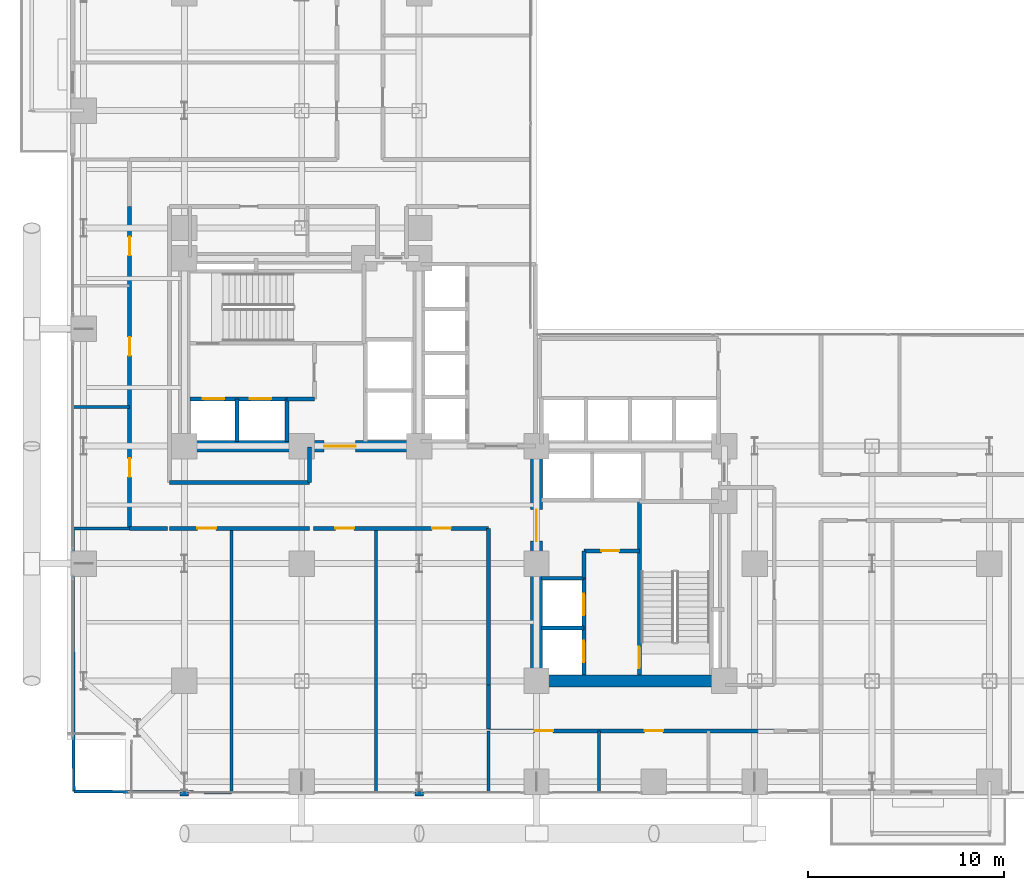
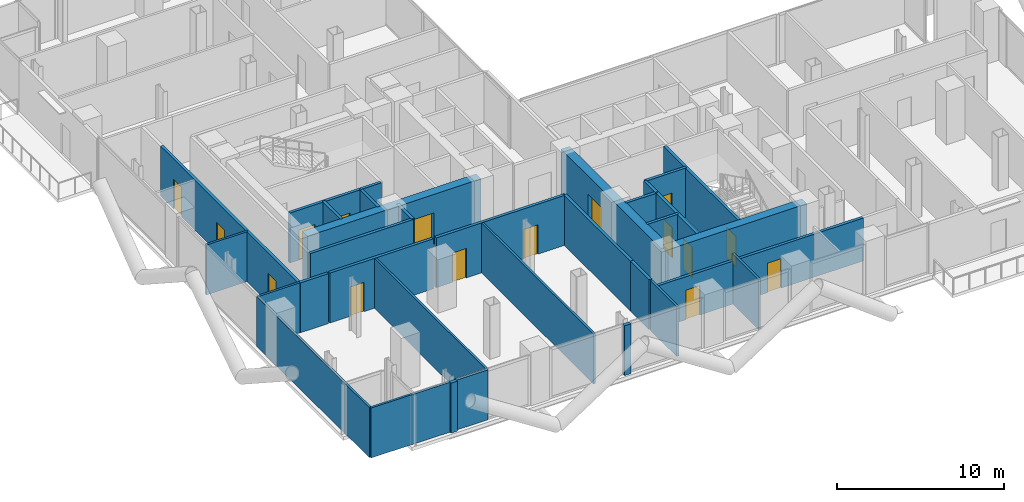
# One storey, part 21 of 27: 33 walls, 16 doors, 16 openings.
"""IFC4 building model written with IfcOpenShell, lengths in metres."""

from ifc_helpers import new_model, si_unit, direction, frame, frame_2d, origin, place, context, subcontext, project, spatial, rectangle, extrude, material, layer, layer_set, type_object, element, fill, save


model = new_model("IFC4")

# Units and contexts
model_context = context("Model", 3, precision=1e-05, world=origin(), true_north=direction((0.0, 1.0)))
body_context = subcontext(model_context, "Body", "Model", "MODEL_VIEW")
ifc_project = project(units=[si_unit("LENGTHUNIT", "METRE"), si_unit("AREAUNIT", "SQUARE_METRE"), si_unit("VOLUMEUNIT", "CUBIC_METRE"), si_unit("PLANEANGLEUNIT", "RADIAN"), si_unit("MASSUNIT", "GRAM", prefix="KILO"), si_unit("THERMODYNAMICTEMPERATUREUNIT", "KELVIN"), si_unit("POWERUNIT", "WATT")], contexts=[model_context])

# Site, building, storey
site_placement = place(None, origin())
site = spatial("IfcSite", under=ifc_project, at=site_placement, CompositionType="ELEMENT")
building_placement = place(site_placement, origin())
building = spatial("IfcBuilding", under=site, at=building_placement, Name="Svarakhadi Broadcast Tower", CompositionType="ELEMENT")
storey_placement = place(building_placement, frame((0.0, 0.0, 59.699951171875)))
storey = spatial("IfcBuildingStorey", under=building, at=storey_placement, Name="L13", CompositionType="ELEMENT", Elevation=59.699951171875)

# Walls
ifc_material_1 = material(Name="Concrete C40/50 (IS 456 M50)", Category="concrete")
ifc_layer_1 = layer(ifc_material_1, 0.239990234375)
ifc_layer_set_1 = layer_set([ifc_layer_1], Name="Concrete C40/50 (IS 456 M50)")
wall_type_1 = type_object("IfcWallType", Name="Wall_Ext_240", PredefinedType="SOLIDWALL", material=ifc_layer_set_1)
for number, where, z_axis, x_axis, name in (
    (1, (18.215087890625, 0.239990234375, 0.0), (0.0, 0.0, 1.0), (-1.0, 0.0, 0.0), "L13 Perimeter Bronze Spandrel Closure Wall 05"),
    (2, (6.215087890625, 0.239990234375, 0.0), (0.0, 0.0, 1.0), (-1.0, 0.0, 0.0), "L13 Perimeter Bronze Spandrel Closure Wall 06"),
):
    element("IfcWall", number, at=place(storey_placement, frame(where, z_axis=z_axis, x_axis=x_axis)), inside=storey, type_object=wall_type_1, Name=name, PredefinedType="SOLIDWALL", context=body_context, shape_type="SweptSolid", body=[
        extrude(rectangle(XDim=0.43017578125, YDim=0.239990234375, at=frame_2d((0.215087890625, 0.0))), origin(), (0.0, 0.0, 1.0), 3.650146484375),
    ])

# Wall, openings, doors
ifc_layer_2 = layer(ifc_material_1, 0.199951171875)
ifc_layer_set_2 = layer_set([ifc_layer_2], Name="Concrete C40/50 (IS 456 M50)")
wall_type_2 = type_object("IfcWallType", Name="Wall_Fire_200", PredefinedType="SOLIDWALL", material=ifc_layer_set_2)
wall_1_placement = place(storey_placement, frame((36.14990234375, 3.449951171875, 0.0), z_axis=(0.0, 0.0, 1.0), x_axis=(-1.0, 0.0, 0.0)))
wall_1 = element("IfcWall", 3, at=wall_1_placement, inside=storey, type_object=wall_type_2, Name="L13 Broadcast Corridor Wall", PredefinedType="SOLIDWALL", context=body_context, shape_type="SweptSolid", body=[
    extrude(rectangle(XDim=14.599853515625, YDim=0.199951171875, at=frame_2d((7.2998046875, 0.0))), origin(), (0.0, 0.0, 1.0), 3.14208984375),
])
opening_1_placement = place(wall_1_placement, frame((11.300048828125, 0.0, 0.0)))
opening_1 = element("IfcOpeningElement", 4, at=opening_1_placement, cuts=wall_1, Name="Opening D-06", PredefinedType="OPENING", context=body_context, shape_type="SweptSolid", body=[
    extrude(rectangle(XDim=0.949951171875, YDim=2.14990234375, at=frame_2d((0.47509765625, 1.074951171875))), frame((0.0, 0.10986328125, 0.0), z_axis=(0.0, -1.0, 0.0), x_axis=(1.0, 0.0, 0.0)), (0.0, 0.0, 1.0), 0.219970703125),
])
opening_2_placement = place(wall_1_placement, frame((5.675048828125, 0.0, 0.0)))
opening_2 = element("IfcOpeningElement", 5, at=opening_2_placement, cuts=wall_1, Name="Opening D-07", PredefinedType="OPENING", context=body_context, shape_type="SweptSolid", body=[
    extrude(rectangle(XDim=0.949951171875, YDim=2.14990234375, at=frame_2d((0.47509765625, 1.074951171875))), frame((0.0, 0.10986328125, 0.0), z_axis=(0.0, -1.0, 0.0), x_axis=(1.0, 0.0, 0.0)), (0.0, 0.0, 1.0), 0.219970703125),
])
ifc_material_2 = material(Name="Solid-Core Teak Veneer Acoustic Timber Leaf", Category="wood")
door_type_1 = type_object("IfcDoorType", Name="Door_Office_D06", OperationType="SINGLE_SWING_LEFT", PredefinedType="DOOR", material=ifc_material_2)
door_1_placement = place(opening_1_placement, origin())
door_1 = element("IfcDoor", 6, at=door_1_placement, inside=storey, type_object=door_type_1, Name="L13 South Harbour Editorial Desk Door", OperationType="SINGLE_SWING_LEFT", OverallHeight=2.14990234375, OverallWidth=0.949951171875, PredefinedType="DOOR", context=body_context, shape_type="SweptSolid", body=[
    extrude(rectangle(XDim=0.949951171875, YDim=2.14990234375, at=frame_2d((0.47509765625, 1.074951171875))), frame((0.0, 0.02490234375, 0.0), z_axis=(0.0, -1.0, 0.0), x_axis=(1.0, 0.0, 0.0)), (0.0, 0.0, 1.0), 0.050048828125),
])
fill(opening_1, door_1)
door_type_2 = type_object("IfcDoorType", Name="Door_Office_D07", OperationType="SINGLE_SWING_RIGHT", PredefinedType="DOOR", material=ifc_material_2)
door_2_placement = place(opening_2_placement, origin())
door_2 = element("IfcDoor", 7, at=door_2_placement, inside=storey, type_object=door_type_2, Name="L13 Media Legal Review Office Door", OperationType="SINGLE_SWING_RIGHT", OverallHeight=2.14990234375, OverallWidth=0.949951171875, PredefinedType="DOOR", context=body_context, shape_type="SweptSolid", body=[
    extrude(rectangle(XDim=0.949951171875, YDim=2.14990234375, at=frame_2d((0.47509765625, 1.074951171875))), frame((0.0, 0.02490234375, 0.0), z_axis=(0.0, -1.0, 0.0), x_axis=(1.0, 0.0, 0.0)), (0.0, 0.0, 1.0), 0.050048828125),
])
fill(opening_2, door_2)

# Walls
wall_2_placement = place(storey_placement, frame((21.550048828125, 3.550048828125, 0.0), z_axis=(0.0, 0.0, 1.0), x_axis=(0.0, 1.0, 0.0)))
element("IfcWall", 8, at=wall_2_placement, inside=storey, type_object=wall_type_2, Name="L13 Broadcast Corridor Wall", PredefinedType="SOLIDWALL", context=body_context, shape_type="SweptSolid", body=[
    extrude(rectangle(XDim=2.25, YDim=0.199951171875, at=frame_2d((1.125, 0.0))), origin(), (0.0, 0.0, 1.0), 3.650146484375),
])
wall_3_placement = place(storey_placement, frame((21.550048828125, 5.800048828125, 0.0), z_axis=(0.0, 0.0, 1.0), x_axis=(0.0, 1.0, 0.0)))
element("IfcWall", 9, at=wall_3_placement, inside=storey, type_object=wall_type_2, Name="L13 Broadcast Corridor Wall", PredefinedType="SOLIDWALL", context=body_context, shape_type="SweptSolid", body=[
    extrude(rectangle(XDim=8.0, YDim=0.199951171875, at=frame_2d((4.0, 0.0))), origin(), (0.0, 0.0, 1.0), 3.650146484375),
])

# Wall, openings, doors
wall_4_placement = place(storey_placement, frame((21.550048828125, 13.800048828125, 0.0), z_axis=(0.0, 0.0, 1.0), x_axis=(-1.0, 0.0, 0.0)))
wall_4 = element("IfcWall", 10, at=wall_4_placement, inside=storey, type_object=wall_type_2, Name="L13 Broadcast Corridor Wall", PredefinedType="SOLIDWALL", context=body_context, shape_type="SweptSolid", body=[
    extrude(rectangle(XDim=8.949951171875, YDim=0.199951171875, at=frame_2d((4.47509765625, 0.0))), origin(), (0.0, 0.0, 1.0), 3.650146484375),
])
opening_3_placement = place(wall_4_placement, frame((6.875, 0.0, 0.0)))
opening_3 = element("IfcOpeningElement", 11, at=opening_3_placement, cuts=wall_4, Name="Opening D-06", PredefinedType="OPENING", context=body_context, shape_type="SweptSolid", body=[
    extrude(rectangle(XDim=0.949951171875, YDim=2.14990234375, at=frame_2d((0.47509765625, 1.074951171875))), frame((0.0, 0.10986328125, 0.0), z_axis=(0.0, -1.0, 0.0), x_axis=(1.0, 0.0, 0.0)), (0.0, 0.0, 1.0), 0.219970703125),
])
opening_4_placement = place(wall_4_placement, frame((1.929931640625, 0.0, 0.0)))
opening_4 = element("IfcOpeningElement", 12, at=opening_4_placement, cuts=wall_4, Name="Opening D-07", PredefinedType="OPENING", context=body_context, shape_type="SweptSolid", body=[
    extrude(rectangle(XDim=0.949951171875, YDim=2.14990234375, at=frame_2d((0.47509765625, 1.074951171875))), frame((0.0, 0.10986328125, 0.0), z_axis=(0.0, -1.0, 0.0), x_axis=(1.0, 0.0, 0.0)), (0.0, 0.0, 1.0), 0.219970703125),
])
door_3_placement = place(opening_3_placement, origin())
door_3 = element("IfcDoor", 13, at=door_3_placement, inside=storey, type_object=door_type_1, Name="L13 Curriculum Development Office Door", OperationType="SINGLE_SWING_LEFT", OverallHeight=2.14990234375, OverallWidth=0.949951171875, PredefinedType="DOOR", context=body_context, shape_type="SweptSolid", body=[
    extrude(rectangle(XDim=0.949951171875, YDim=2.14990234375, at=frame_2d((0.47509765625, 1.074951171875))), frame((0.0, 0.02490234375, 0.0), z_axis=(0.0, -1.0, 0.0), x_axis=(1.0, 0.0, 0.0)), (0.0, 0.0, 1.0), 0.050048828125),
])
fill(opening_3, door_3)
door_4_placement = place(opening_4_placement, origin())
door_4 = element("IfcDoor", 14, at=door_4_placement, inside=storey, type_object=door_type_2, Name="L13 Faculty Coordinator Office Door", OperationType="SINGLE_SWING_RIGHT", OverallHeight=2.14990234375, OverallWidth=0.949951171875, PredefinedType="DOOR", context=body_context, shape_type="SweptSolid", body=[
    extrude(rectangle(XDim=0.949951171875, YDim=2.14990234375, at=frame_2d((0.47509765625, 1.074951171875))), frame((0.0, 0.02490234375, 0.0), z_axis=(0.0, -1.0, 0.0), x_axis=(1.0, 0.0, 0.0)), (0.0, 0.0, 1.0), 0.050048828125),
])
fill(opening_4, door_4)

# Wall, opening, door
wall_5_placement = place(storey_placement, frame((12.39990234375, 13.800048828125, 0.0), z_axis=(0.0, 0.0, 1.0), x_axis=(-1.0, 0.0, 0.0)))
wall_5 = element("IfcWall", 15, at=wall_5_placement, inside=storey, type_object=wall_type_2, Name="L13 Broadcast Corridor Wall", PredefinedType="SOLIDWALL", context=body_context, shape_type="SweptSolid", body=[
    extrude(rectangle(XDim=7.14990234375, YDim=0.199951171875, at=frame_2d((3.574951171875, 0.0))), origin(), (0.0, 0.0, 1.0), 3.650146484375),
])
opening_5_placement = place(wall_5_placement, frame((4.780029296875, 0.0, 0.0)))
opening_5 = element("IfcOpeningElement", 16, at=opening_5_placement, cuts=wall_5, Name="Opening D-06", PredefinedType="OPENING", context=body_context, shape_type="SweptSolid", body=[
    extrude(rectangle(XDim=0.949951171875, YDim=2.14990234375, at=frame_2d((0.47509765625, 1.074951171875))), frame((0.0, 0.10986328125, 0.0), z_axis=(0.0, -1.0, 0.0), x_axis=(1.0, 0.0, 0.0)), (0.0, 0.0, 1.0), 0.219970703125),
])
door_5_placement = place(opening_5_placement, origin())
door_5 = element("IfcDoor", 17, at=door_5_placement, inside=storey, type_object=door_type_1, Name="L13 Broadcast Academy Seminar Room A Door", OperationType="SINGLE_SWING_LEFT", OverallHeight=2.14990234375, OverallWidth=0.949951171875, PredefinedType="DOOR", context=body_context, shape_type="SweptSolid", body=[
    extrude(rectangle(XDim=0.949951171875, YDim=2.14990234375, at=frame_2d((0.47509765625, 1.074951171875))), frame((0.0, 0.02490234375, 0.0), z_axis=(0.0, -1.0, 0.0), x_axis=(1.0, 0.0, 0.0)), (0.0, 0.0, 1.0), 0.050048828125),
])
fill(opening_5, door_5)

# Wall
wall_6_placement = place(storey_placement, frame((5.14990234375, 13.800048828125, 0.0), z_axis=(0.0, 0.0, 1.0), x_axis=(-1.0, 0.0, 0.0)))
element("IfcWall", 18, at=wall_6_placement, inside=storey, type_object=wall_type_2, Name="L13 Broadcast Corridor Wall", PredefinedType="SOLIDWALL", context=body_context, shape_type="SweptSolid", body=[
    extrude(rectangle(XDim=1.949951171875, YDim=0.199951171875, at=frame_2d((0.97509765625, 0.0))), origin(), (0.0, 0.0, 1.0), 3.650146484375),
])

# Wall, openings, doors
wall_7_placement = place(storey_placement, frame((3.199951171875, 13.800048828125, 0.0), z_axis=(0.0, 0.0, 1.0), x_axis=(0.0, 1.0, 0.0)))
wall_7 = element("IfcWall", 19, at=wall_7_placement, inside=storey, type_object=wall_type_2, Name="L13 Broadcast Corridor Wall", PredefinedType="SOLIDWALL", context=body_context, shape_type="SweptSolid", body=[
    extrude(rectangle(XDim=16.449951171875, YDim=0.199951171875, at=frame_2d((8.22509765625, 0.0))), origin(), (0.0, 0.0, 1.0), 3.650146484375),
])
opening_6_placement = place(wall_7_placement, frame((2.625, 0.0, 0.0)))
opening_6 = element("IfcOpeningElement", 20, at=opening_6_placement, cuts=wall_7, Name="Opening D-07", PredefinedType="OPENING", context=body_context, shape_type="SweptSolid", body=[
    extrude(rectangle(XDim=0.949951171875, YDim=2.14990234375, at=frame_2d((0.47509765625, 1.074951171875))), frame((0.0, 0.10986328125, 0.0), z_axis=(0.0, -1.0, 0.0), x_axis=(1.0, 0.0, 0.0)), (0.0, 0.0, 1.0), 0.219970703125),
])
opening_7_placement = place(wall_7_placement, frame((8.824951171875, 0.0, 0.0)))
opening_7 = element("IfcOpeningElement", 21, at=opening_7_placement, cuts=wall_7, Name="Opening D-06", PredefinedType="OPENING", context=body_context, shape_type="SweptSolid", body=[
    extrude(rectangle(XDim=0.949951171875, YDim=2.14990234375, at=frame_2d((0.47509765625, 1.074951171875))), frame((0.0, 0.10986328125, 0.0), z_axis=(0.0, -1.0, 0.0), x_axis=(1.0, 0.0, 0.0)), (0.0, 0.0, 1.0), 0.219970703125),
])
opening_8_placement = place(wall_7_placement, frame((13.949951171875, 0.0, 0.0)))
opening_8 = element("IfcOpeningElement", 22, at=opening_8_placement, cuts=wall_7, Name="Opening D-07", PredefinedType="OPENING", context=body_context, shape_type="SweptSolid", body=[
    extrude(rectangle(XDim=0.949951171875, YDim=2.14990234375, at=frame_2d((0.47509765625, 1.074951171875))), frame((0.0, 0.10986328125, 0.0), z_axis=(0.0, -1.0, 0.0), x_axis=(1.0, 0.0, 0.0)), (0.0, 0.0, 1.0), 0.219970703125),
])
door_6_placement = place(opening_7_placement, origin())
door_6 = element("IfcDoor", 23, at=door_6_placement, inside=storey, type_object=door_type_1, Name="L13 Live Translation Studio Door", OperationType="SINGLE_SWING_LEFT", OverallHeight=2.14990234375, OverallWidth=0.949951171875, PredefinedType="DOOR", context=body_context, shape_type="SweptSolid", body=[
    extrude(rectangle(XDim=0.949951171875, YDim=2.14990234375, at=frame_2d((0.47509765625, 1.074951171875))), frame((0.0, 0.02490234375, 0.0), z_axis=(0.0, -1.0, 0.0), x_axis=(1.0, 0.0, 0.0)), (0.0, 0.0, 1.0), 0.050048828125),
])
fill(opening_7, door_6)
door_7_placement = place(opening_6_placement, origin())
door_7 = element("IfcDoor", 24, at=door_7_placement, inside=storey, type_object=door_type_2, Name="L13 Arabian Sea Commentary Booth Door", OperationType="SINGLE_SWING_RIGHT", OverallHeight=2.14990234375, OverallWidth=0.949951171875, PredefinedType="DOOR", context=body_context, shape_type="SweptSolid", body=[
    extrude(rectangle(XDim=0.949951171875, YDim=2.14990234375, at=frame_2d((0.47509765625, 1.074951171875))), frame((0.0, 0.02490234375, 0.0), z_axis=(0.0, -1.0, 0.0), x_axis=(1.0, 0.0, 0.0)), (0.0, 0.0, 1.0), 0.050048828125),
])
fill(opening_6, door_7)
door_8_placement = place(opening_8_placement, origin())
door_8 = element("IfcDoor", 25, at=door_8_placement, inside=storey, type_object=door_type_2, Name="L13 Producer Quiet Lounge Door", OperationType="SINGLE_SWING_RIGHT", OverallHeight=2.14990234375, OverallWidth=0.949951171875, PredefinedType="DOOR", context=body_context, shape_type="SweptSolid", body=[
    extrude(rectangle(XDim=0.949951171875, YDim=2.14990234375, at=frame_2d((0.47509765625, 1.074951171875))), frame((0.0, 0.02490234375, 0.0), z_axis=(0.0, -1.0, 0.0), x_axis=(1.0, 0.0, 0.0)), (0.0, 0.0, 1.0), 0.050048828125),
])
fill(opening_8, door_8)

# Walls
wall_8_placement = place(storey_placement, frame((5.25, 16.14990234375, 0.0), z_axis=(0.0, 0.0, 1.0), x_axis=(1.0, 0.0, 0.0)))
element("IfcWall", 26, at=wall_8_placement, inside=storey, type_object=wall_type_2, Name="L13 Broadcast Corridor Wall", PredefinedType="SOLIDWALL", context=body_context, shape_type="SweptSolid", body=[
    extrude(rectangle(XDim=7.14990234375, YDim=0.199951171875, at=frame_2d((3.574951171875, 0.0))), origin(), (0.0, 0.0, 1.0), 3.650146484375),
])
wall_9_placement = place(storey_placement, frame((12.39990234375, 16.14990234375, 0.0), z_axis=(0.0, 0.0, 1.0), x_axis=(0.0, 1.0, 0.0)))
element("IfcWall", 27, at=wall_9_placement, inside=storey, type_object=wall_type_2, Name="L13 Broadcast Corridor Wall", PredefinedType="SOLIDWALL", context=body_context, shape_type="SweptSolid", body=[
    extrude(rectangle(XDim=1.800048828125, YDim=0.199951171875, at=frame_2d((0.89990234375, 0.0))), origin(), (0.0, 0.0, 1.0), 3.650146484375),
])
ifc_material_3 = material(Name="Autoclaved Aerated Concrete Blockwork 150 mm", Category="masonry")
ifc_layer_3 = layer(ifc_material_3, 0.14990234375)
ifc_layer_set_3 = layer_set([ifc_layer_3], Name="Autoclaved Aerated Concrete Blockwork 150 mm")
wall_type_3 = type_object("IfcWallType", Name="Wall_Part_150", PredefinedType="PARTITIONING", material=ifc_layer_set_3)
wall_10_placement = place(storey_placement, frame((0.35009765625, 0.35009765625, 0.0), z_axis=(0.0, 0.0, 1.0), x_axis=(0.999980506152, -0.006243982317, 0.0)))
element("IfcWall", 28, at=wall_10_placement, inside=storey, type_object=wall_type_3, Name="L13 Broadcast Academy Seminar Room A Wall", PredefinedType="PARTITIONING", context=body_context, shape_type="SweptSolid", body=[
    extrude(rectangle(XDim=5.434814453125, YDim=0.14990234375, at=frame_2d((2.71728515625, 0.0))), origin(), (0.0, 0.0, 1.0), 3.650146484375),
])
wall_11_placement = place(storey_placement, frame((6.215087890625, 0.313720703125, 0.0), z_axis=(0.0, 0.0, 1.0), x_axis=(0.99998042128, -0.006257559905, 0.0)))
element("IfcWall", 29, at=wall_11_placement, inside=storey, type_object=wall_type_3, Name="L13 Broadcast Academy Seminar Room A Wall", PredefinedType="PARTITIONING", context=body_context, shape_type="SweptSolid", body=[
    extrude(rectangle(XDim=2.184814453125, YDim=0.14990234375, at=frame_2d((1.09228515625, 0.0))), origin(), (0.0, 0.0, 1.0), 3.650146484375),
])
wall_12_placement = place(storey_placement, frame((0.35009765625, 0.35009765625, 0.0), z_axis=(0.0, 0.0, 1.0), x_axis=(-0.003721090209, 0.99999307672, 0.0)))
element("IfcWall", 30, at=wall_12_placement, inside=storey, type_object=wall_type_3, Name="L13 Broadcast Academy Seminar Room A Wall", PredefinedType="PARTITIONING", context=body_context, shape_type="SweptSolid", body=[
    extrude(rectangle(XDim=13.449951171875, YDim=0.14990234375, at=frame_2d((6.72509765625, 0.0))), origin(), (0.0, 0.0, 1.0), 3.650146484375),
])
for number, where, z_axis, x_axis, name in (
    (31, (8.39990234375, 0.300048828125, 0.0), (0.0, 0.0, 1.0), (0.0, 1.0, 0.0), "L13 Broadcast Academy Seminar Room A Wall"),
    (32, (15.800048828125, 0.300048828125, 0.0), (0.0, 0.0, 1.0), (0.0, 1.0, 0.0), "L13 Curriculum Development Office Wall"),
):
    element("IfcWall", number, at=place(storey_placement, frame(where, z_axis=z_axis, x_axis=x_axis)), inside=storey, type_object=wall_type_3, Name=name, PredefinedType="PARTITIONING", context=body_context, shape_type="SweptSolid", body=[
        extrude(rectangle(XDim=13.5, YDim=0.14990234375, at=frame_2d((6.75, 0.0))), origin(), (0.0, 0.0, 1.0), 3.650146484375),
    ])
for number, where, z_axis, x_axis, name in (
    (33, (0.300048828125, 13.800048828125, 0.0), (0.0, 0.0, 1.0), (1.0, 0.0, 0.0), "L13 Arabian Sea Commentary Booth Wall"),
    (34, (0.300048828125, 20.0, 0.0), (0.0, 0.0, 1.0), (1.0, 0.0, 0.0), "L13 Arabian Sea Commentary Booth Wall"),
):
    element("IfcWall", number, at=place(storey_placement, frame(where, z_axis=z_axis, x_axis=x_axis)), inside=storey, type_object=wall_type_3, Name=name, PredefinedType="PARTITIONING", context=body_context, shape_type="SweptSolid", body=[
        extrude(rectangle(XDim=2.89990234375, YDim=0.14990234375, at=frame_2d((1.449951171875, 0.0))), origin(), (0.0, 0.0, 1.0), 3.650146484375),
    ])
for number, where, z_axis, x_axis, name in (
    (35, (21.550048828125, 0.300048828125, 0.0), (0.0, 0.0, 1.0), (0.0, 1.0, 0.0), "L13 South Harbour Editorial Desk Wall"),
    (36, (27.199951171875, 0.300048828125, 0.0), (0.0, 0.0, 1.0), (0.0, 1.0, 0.0), "L13 South Harbour Editorial Desk Wall"),
):
    element("IfcWall", number, at=place(storey_placement, frame(where, z_axis=z_axis, x_axis=x_axis)), inside=storey, type_object=wall_type_3, Name=name, PredefinedType="PARTITIONING", context=body_context, shape_type="SweptSolid", body=[
        extrude(rectangle(XDim=3.14990234375, YDim=0.14990234375, at=frame_2d((1.574951171875, 0.0))), origin(), (0.0, 0.0, 1.0), 3.650146484375),
    ])

# Wall, opening, door
ifc_material_4 = material(Name="Concrete C50/60 (IS 456 M60)", Category="concrete")
ifc_layer_4 = layer(ifc_material_4, 0.199951171875)
ifc_layer_set_4 = layer_set([ifc_layer_4], Name="Concrete C50/60 (IS 456 M60)")
wall_type_4 = type_object("IfcWallType", Name="Wall_Shear_200", PredefinedType="SHEAR", material=ifc_layer_set_4)
wall_13_placement = place(storey_placement, frame((29.260009765625, 6.300048828125, 0.0), z_axis=(0.0, 0.0, 1.0), x_axis=(0.0, 1.0, 0.0)))
wall_13 = element("IfcWall", 37, at=wall_13_placement, inside=storey, type_object=wall_type_4, Name="L13 Stair ST-02 West RC Shaft Wall", PredefinedType="SHEAR", context=body_context, shape_type="SweptSolid", body=[
    extrude(rectangle(XDim=8.8798828125, YDim=0.199951171875, at=frame_2d((4.43994140625, 0.0))), origin(), (0.0, 0.0, 1.0), 3.650146484375),
])
opening_9_placement = place(wall_13_placement, frame((0.35009765625, 0.0, 0.0)))
opening_9 = element("IfcOpeningElement", 38, at=opening_9_placement, cuts=wall_13, Name="Opening D-02", PredefinedType="OPENING", context=body_context, shape_type="SweptSolid", body=[
    extrude(rectangle(XDim=1.10009765625, YDim=2.199951171875, at=frame_2d((0.550048828125, 1.10009765625))), frame((0.0, 0.10986328125, 0.0), z_axis=(0.0, -1.0, 0.0), x_axis=(1.0, 0.0, 0.0)), (0.0, 0.0, 1.0), 0.219970703125),
])
ifc_material_5 = material(Name="Galvanised Powder-Coated Fire-Rated Steel Leaf", Category="steel")
door_type_3 = type_object("IfcDoorType", Name="Door_Stair_D02", OperationType="SINGLE_SWING_RIGHT", PredefinedType="DOOR", material=ifc_material_5)
door_9_placement = place(opening_9_placement, origin())
door_9 = element("IfcDoor", 39, at=door_9_placement, inside=storey, type_object=door_type_3, Name="L13 Protected Exit Stair ST-02 Fire Door", OperationType="SINGLE_SWING_RIGHT", OverallHeight=2.199951171875, OverallWidth=1.10009765625, PredefinedType="DOOR", context=body_context, shape_type="SweptSolid", body=[
    extrude(rectangle(XDim=1.10009765625, YDim=2.199951171875, at=frame_2d((0.550048828125, 1.10009765625))), frame((0.0, 0.02490234375, 0.0), z_axis=(0.0, -1.0, 0.0), x_axis=(1.0, 0.0, 0.0)), (0.0, 0.0, 1.0), 0.050048828125),
])
fill(opening_9, door_9)

# Wall, openings, doors
wall_14_placement = place(storey_placement, frame((6.300048828125, 20.419921875, 0.0), z_axis=(0.0, 0.0, 1.0), x_axis=(1.0, 0.0, 0.0)))
wall_14 = element("IfcWall", 40, at=wall_14_placement, inside=storey, type_object=wall_type_4, Name="L13 Firefighting Lift LF-01/02 Shaft Wall", PredefinedType="SHEAR", context=body_context, shape_type="SweptSolid", body=[
    extrude(rectangle(XDim=4.949951171875, YDim=0.199951171875, at=frame_2d((2.47509765625, 0.0))), origin(), (0.0, 0.0, 1.0), 3.650146484375),
])
opening_10_placement = place(wall_14_placement, frame((0.64990234375, 0.0, 0.0)))
opening_10 = element("IfcOpeningElement", 41, at=opening_10_placement, cuts=wall_14, Name="Opening LD-01", PredefinedType="OPENING", context=body_context, shape_type="SweptSolid", body=[
    extrude(rectangle(XDim=1.10009765625, YDim=2.199951171875, at=frame_2d((0.550048828125, 1.10009765625))), frame((0.0, 0.10986328125, 0.0), z_axis=(0.0, -1.0, 0.0), x_axis=(1.0, 0.0, 0.0)), (0.0, 0.0, 1.0), 0.219970703125),
])
opening_11_placement = place(wall_14_placement, frame((3.050048828125, 0.0, 0.0)))
opening_11 = element("IfcOpeningElement", 42, at=opening_11_placement, cuts=wall_14, Name="Opening LD-01", PredefinedType="OPENING", context=body_context, shape_type="SweptSolid", body=[
    extrude(rectangle(XDim=1.10009765625, YDim=2.199951171875, at=frame_2d((0.550048828125, 1.10009765625))), frame((0.0, 0.10986328125, 0.0), z_axis=(0.0, -1.0, 0.0), x_axis=(1.0, 0.0, 0.0)), (0.0, 0.0, 1.0), 0.219970703125),
])
door_type_4 = type_object("IfcDoorType", Name="Door_Lift_LD01", OperationType="SLIDING_TO_LEFT", PredefinedType="DOOR", material=ifc_material_5)
door_10_placement = place(opening_10_placement, origin())
door_10 = element("IfcDoor", 43, at=door_10_placement, inside=storey, type_object=door_type_4, Name="L13 Firefighting Lift LF-01 Landing Door", OperationType="SLIDING_TO_LEFT", OverallHeight=2.199951171875, OverallWidth=1.10009765625, PredefinedType="DOOR", context=body_context, shape_type="SweptSolid", body=[
    extrude(rectangle(XDim=1.10009765625, YDim=2.199951171875, at=frame_2d((0.550048828125, 1.10009765625))), frame((0.0, 0.02490234375, 0.0), z_axis=(0.0, -1.0, 0.0), x_axis=(1.0, 0.0, 0.0)), (0.0, 0.0, 1.0), 0.050048828125),
])
fill(opening_10, door_10)
door_11_placement = place(opening_11_placement, origin())
door_11 = element("IfcDoor", 44, at=door_11_placement, inside=storey, type_object=door_type_4, Name="L13 Firefighting Lift LF-02 Landing Door", OperationType="SLIDING_TO_LEFT", OverallHeight=2.199951171875, OverallWidth=1.10009765625, PredefinedType="DOOR", context=body_context, shape_type="SweptSolid", body=[
    extrude(rectangle(XDim=1.10009765625, YDim=2.199951171875, at=frame_2d((0.550048828125, 1.10009765625))), frame((0.0, 0.02490234375, 0.0), z_axis=(0.0, -1.0, 0.0), x_axis=(1.0, 0.0, 0.0)), (0.0, 0.0, 1.0), 0.050048828125),
])
fill(opening_11, door_11)

# Walls
for number, where, z_axis, x_axis, name in (
    (45, (8.699951171875, 18.25, 0.0), (0.0, 0.0, 1.0), (0.0, 1.0, 0.0), "L13 Firefighting Lift LF-01/02 Divider Wall"),
    (46, (11.25, 18.25, 0.0), (0.0, 0.0, 1.0), (0.0, 1.0, 0.0), "L13 Firefighting Lift LF-02 East Wall"),
):
    element("IfcWall", number, at=place(storey_placement, frame(where, z_axis=z_axis, x_axis=x_axis)), inside=storey, type_object=wall_type_4, Name=name, PredefinedType="SHEAR", context=body_context, shape_type="SweptSolid", body=[
        extrude(rectangle(XDim=2.169921875, YDim=0.199951171875, at=frame_2d((1.0849609375, 0.0))), origin(), (0.0, 0.0, 1.0), 3.650146484375),
    ])
wall_15_placement = place(storey_placement, frame((11.25, 20.419921875, 0.0), z_axis=(0.0, 0.0, 1.0), x_axis=(1.0, 0.0, 0.0)))
element("IfcWall", 47, at=wall_15_placement, inside=storey, type_object=wall_type_4, Name="L13 West Firefighting Lobby South Wall", PredefinedType="SHEAR", context=body_context, shape_type="SweptSolid", body=[
    extrude(rectangle(XDim=1.39990234375, YDim=0.199951171875, at=frame_2d((0.699951171875, 0.0))), origin(), (0.0, 0.0, 1.0), 3.650146484375),
])

# Wall, openings, doors
wall_16_placement = place(storey_placement, frame((26.419921875, 6.300048828125, 0.0), z_axis=(0.0, 0.0, 1.0), x_axis=(0.0, 1.0, 0.0)))
wall_16 = element("IfcWall", 48, at=wall_16_placement, inside=storey, type_object=wall_type_4, Name="L13 Firefighting Lift LF-03/04 Shaft Wall", PredefinedType="SHEAR", context=body_context, shape_type="SweptSolid", body=[
    extrude(rectangle(XDim=4.949951171875, YDim=0.199951171875, at=frame_2d((2.47509765625, 0.0))), origin(), (0.0, 0.0, 1.0), 3.650146484375),
])
opening_12_placement = place(wall_16_placement, frame((0.64990234375, 0.0, 0.0)))
opening_12 = element("IfcOpeningElement", 49, at=opening_12_placement, cuts=wall_16, Name="Opening LD-01", PredefinedType="OPENING", context=body_context, shape_type="SweptSolid", body=[
    extrude(rectangle(XDim=1.10009765625, YDim=2.199951171875, at=frame_2d((0.550048828125, 1.10009765625))), frame((0.0, 0.10986328125, 0.0), z_axis=(0.0, -1.0, 0.0), x_axis=(1.0, 0.0, 0.0)), (0.0, 0.0, 1.0), 0.219970703125),
])
opening_13_placement = place(wall_16_placement, frame((3.050048828125, 0.0, 0.0)))
opening_13 = element("IfcOpeningElement", 50, at=opening_13_placement, cuts=wall_16, Name="Opening LD-01", PredefinedType="OPENING", context=body_context, shape_type="SweptSolid", body=[
    extrude(rectangle(XDim=1.10009765625, YDim=2.199951171875, at=frame_2d((0.550048828125, 1.10009765625))), frame((0.0, 0.10986328125, 0.0), z_axis=(0.0, -1.0, 0.0), x_axis=(1.0, 0.0, 0.0)), (0.0, 0.0, 1.0), 0.219970703125),
])
door_12_placement = place(opening_12_placement, origin())
door_12 = element("IfcDoor", 51, at=door_12_placement, inside=storey, type_object=door_type_4, Name="L13 Firefighting Lift LF-03 Landing Door", OperationType="SLIDING_TO_LEFT", OverallHeight=2.199951171875, OverallWidth=1.10009765625, PredefinedType="DOOR", context=body_context, shape_type="SweptSolid", body=[
    extrude(rectangle(XDim=1.10009765625, YDim=2.199951171875, at=frame_2d((0.550048828125, 1.10009765625))), frame((0.0, 0.02490234375, 0.0), z_axis=(0.0, -1.0, 0.0), x_axis=(1.0, 0.0, 0.0)), (0.0, 0.0, 1.0), 0.050048828125),
])
fill(opening_12, door_12)
door_13_placement = place(opening_13_placement, origin())
door_13 = element("IfcDoor", 52, at=door_13_placement, inside=storey, type_object=door_type_4, Name="L13 Firefighting Lift LF-04 Landing Door", OperationType="SLIDING_TO_LEFT", OverallHeight=2.199951171875, OverallWidth=1.10009765625, PredefinedType="DOOR", context=body_context, shape_type="SweptSolid", body=[
    extrude(rectangle(XDim=1.10009765625, YDim=2.199951171875, at=frame_2d((0.550048828125, 1.10009765625))), frame((0.0, 0.02490234375, 0.0), z_axis=(0.0, -1.0, 0.0), x_axis=(1.0, 0.0, 0.0)), (0.0, 0.0, 1.0), 0.050048828125),
])
fill(opening_13, door_13)

# Walls
for number, where, z_axis, x_axis, name in (
    (53, (24.25, 8.699951171875, 0.0), (0.0, 0.0, 1.0), (1.0, 0.0, 0.0), "L13 Firefighting Lift LF-03/04 Divider Wall"),
    (54, (24.25, 11.25, 0.0), (0.0, 0.0, 1.0), (1.0, 0.0, 0.0), "L13 Firefighting Lift LF-04 North Wall"),
):
    element("IfcWall", number, at=place(storey_placement, frame(where, z_axis=z_axis, x_axis=x_axis)), inside=storey, type_object=wall_type_4, Name=name, PredefinedType="SHEAR", context=body_context, shape_type="SweptSolid", body=[
        extrude(rectangle(XDim=2.169921875, YDim=0.199951171875, at=frame_2d((1.0849609375, 0.0))), origin(), (0.0, 0.0, 1.0), 3.650146484375),
    ])
wall_17_placement = place(storey_placement, frame((26.419921875, 11.25, 0.0), z_axis=(0.0, 0.0, 1.0), x_axis=(0.0, 1.0, 0.0)))
element("IfcWall", 55, at=wall_17_placement, inside=storey, type_object=wall_type_4, Name="L13 East Firefighting Lobby West Wall", PredefinedType="SHEAR", context=body_context, shape_type="SweptSolid", body=[
    extrude(rectangle(XDim=1.39990234375, YDim=0.199951171875, at=frame_2d((0.699951171875, 0.0))), origin(), (0.0, 0.0, 1.0), 3.650146484375),
])

# Wall, opening, door
wall_18_placement = place(storey_placement, frame((26.419921875, 12.64990234375, 0.0), z_axis=(0.0, 0.0, 1.0), x_axis=(1.0, 0.0, 0.0)))
wall_18 = element("IfcWall", 56, at=wall_18_placement, inside=storey, type_object=wall_type_4, Name="L13 East Firefighting Lobby North Wall", PredefinedType="SHEAR", context=body_context, shape_type="SweptSolid", body=[
    extrude(rectangle(XDim=2.840087890625, YDim=0.199951171875, at=frame_2d((1.419921875, 0.0))), origin(), (0.0, 0.0, 1.0), 3.650146484375),
])
opening_14_placement = place(wall_18_placement, frame((0.89990234375, 0.0, 0.0)))
opening_14 = element("IfcOpeningElement", 57, at=opening_14_placement, cuts=wall_18, Name="Opening D-04", PredefinedType="OPENING", context=body_context, shape_type="SweptSolid", body=[
    extrude(rectangle(XDim=0.89990234375, YDim=2.14990234375, at=frame_2d((0.449951171875, 1.074951171875))), frame((0.0, 0.10986328125, 0.0), z_axis=(0.0, -1.0, 0.0), x_axis=(1.0, 0.0, 0.0)), (0.0, 0.0, 1.0), 0.219970703125),
])
door_type_5 = type_object("IfcDoorType", Name="Door_Fire_D04", OperationType="SINGLE_SWING_RIGHT", PredefinedType="DOOR", material=ifc_material_5)
door_14_placement = place(opening_14_placement, origin())
door_14 = element("IfcDoor", 58, at=door_14_placement, inside=storey, type_object=door_type_5, Name="L13 East Firefighting Lobby Fire Door", OperationType="SINGLE_SWING_RIGHT", OverallHeight=2.14990234375, OverallWidth=0.89990234375, PredefinedType="DOOR", context=body_context, shape_type="SweptSolid", body=[
    extrude(rectangle(XDim=0.89990234375, YDim=2.14990234375, at=frame_2d((0.449951171875, 1.074951171875))), frame((0.0, 0.02490234375, 0.0), z_axis=(0.0, -1.0, 0.0), x_axis=(1.0, 0.0, 0.0)), (0.0, 0.0, 1.0), 0.050048828125),
])
fill(opening_14, door_14)

ifc_material_6 = material(Name="Concrete C60/75 (IS 456 M70)", Category="concrete")
ifc_layer_5 = layer(ifc_material_6, 0.60009765625)
ifc_layer_set_5 = layer_set([ifc_layer_5], Name="Concrete C60/75 (IS 456 M70)")
wall_type_5 = type_object("IfcWallType", Name="Wall_Shear_600", PredefinedType="SHEAR", material=ifc_layer_set_5)
wall_19_placement = place(storey_placement, frame((6.0, 18.0, 0.0), z_axis=(0.0, 0.0, 1.0), x_axis=(1.0, 0.0, 0.0)))
wall_19 = element("IfcWall", 59, at=wall_19_placement, inside=storey, type_object=wall_type_5, Name="L13 West Core South Shear Wall", PredefinedType="SHEAR", context=body_context, shape_type="SweptSolid", body=[
    extrude(rectangle(XDim=12.0, YDim=0.60009765625, at=frame_2d((6.0, 0.0))), origin(), (0.0, 0.0, 1.0), 3.650146484375),
])
opening_15_placement = place(wall_19_placement, frame((7.14990234375, 0.0, 0.0)))
opening_15 = element("IfcOpeningElement", 60, at=opening_15_placement, cuts=wall_19, Name="Opening D-05", PredefinedType="OPENING", context=body_context, shape_type="SweptSolid", body=[
    extrude(rectangle(XDim=1.60009765625, YDim=2.300048828125, at=frame_2d((0.800048828125, 1.14990234375))), frame((0.0, 0.31005859375, 0.0), z_axis=(0.0, -1.0, 0.0), x_axis=(1.0, 0.0, 0.0)), (0.0, 0.0, 1.0), 0.6201171875),
])
ifc_material_7 = material(Name="Anodised Bronze Aluminium AA 6063-T6", Category="aluminium")
door_type_6 = type_object("IfcDoorType", Name="Door_Lobby_D05", OperationType="DOUBLE_DOOR_SLIDING", PredefinedType="DOOR", material=ifc_material_7)
door_15_placement = place(opening_15_placement, origin())
door_15 = element("IfcDoor", 61, at=door_15_placement, inside=storey, type_object=door_type_6, Name="L13 West Core Passenger Lift Lobby Entrance Door", OperationType="DOUBLE_DOOR_SLIDING", OverallHeight=2.300048828125, OverallWidth=1.60009765625, PredefinedType="DOOR", context=body_context, shape_type="SweptSolid", body=[
    extrude(rectangle(XDim=1.60009765625, YDim=2.300048828125, at=frame_2d((0.800048828125, 1.14990234375))), frame((0.0, 0.02490234375, 0.0), z_axis=(0.0, -1.0, 0.0), x_axis=(1.0, 0.0, 0.0)), (0.0, 0.0, 1.0), 0.050048828125),
])
fill(opening_15, door_15)

# Wall
wall_20_placement = place(storey_placement, frame((24.0, 6.0, 0.0), z_axis=(0.0, 0.0, 1.0), x_axis=(1.0, 0.0, 0.0)))
element("IfcWall", 62, at=wall_20_placement, inside=storey, type_object=wall_type_5, Name="L13 East Core South Shear Wall", PredefinedType="SHEAR", context=body_context, shape_type="SweptSolid", body=[
    extrude(rectangle(XDim=9.60009765625, YDim=0.60009765625, at=frame_2d((4.800048828125, 0.0))), origin(), (0.0, 0.0, 1.0), 3.650146484375),
])

# Wall, opening, door
wall_21_placement = place(storey_placement, frame((24.0, 6.0, 0.0), z_axis=(0.0, 0.0, 1.0), x_axis=(0.0, 1.0, 0.0)))
wall_21 = element("IfcWall", 63, at=wall_21_placement, inside=storey, type_object=wall_type_5, Name="L13 East Core West Shear Wall", PredefinedType="SHEAR", context=body_context, shape_type="SweptSolid", body=[
    extrude(rectangle(XDim=12.0, YDim=0.60009765625, at=frame_2d((6.0, 0.0))), origin(), (0.0, 0.0, 1.0), 3.650146484375),
])
opening_16_placement = place(wall_21_placement, frame((7.14990234375, 0.0, 0.0)))
opening_16 = element("IfcOpeningElement", 64, at=opening_16_placement, cuts=wall_21, Name="Opening D-05", PredefinedType="OPENING", context=body_context, shape_type="SweptSolid", body=[
    extrude(rectangle(XDim=1.60009765625, YDim=2.300048828125, at=frame_2d((0.800048828125, 1.14990234375))), frame((0.0, 0.31005859375, 0.0), z_axis=(0.0, -1.0, 0.0), x_axis=(1.0, 0.0, 0.0)), (0.0, 0.0, 1.0), 0.6201171875),
])
door_16_placement = place(opening_16_placement, origin())
door_16 = element("IfcDoor", 65, at=door_16_placement, inside=storey, type_object=door_type_6, Name="L13 East Core Passenger Lift Lobby Entrance Door", OperationType="DOUBLE_DOOR_SLIDING", OverallHeight=2.300048828125, OverallWidth=1.60009765625, PredefinedType="DOOR", context=body_context, shape_type="SweptSolid", body=[
    extrude(rectangle(XDim=1.60009765625, YDim=2.300048828125, at=frame_2d((0.800048828125, 1.14990234375))), frame((0.0, 0.02490234375, 0.0), z_axis=(0.0, -1.0, 0.0), x_axis=(1.0, 0.0, 0.0)), (0.0, 0.0, 1.0), 0.050048828125),
])
fill(opening_16, door_16)

save(model, "model.ifc")
